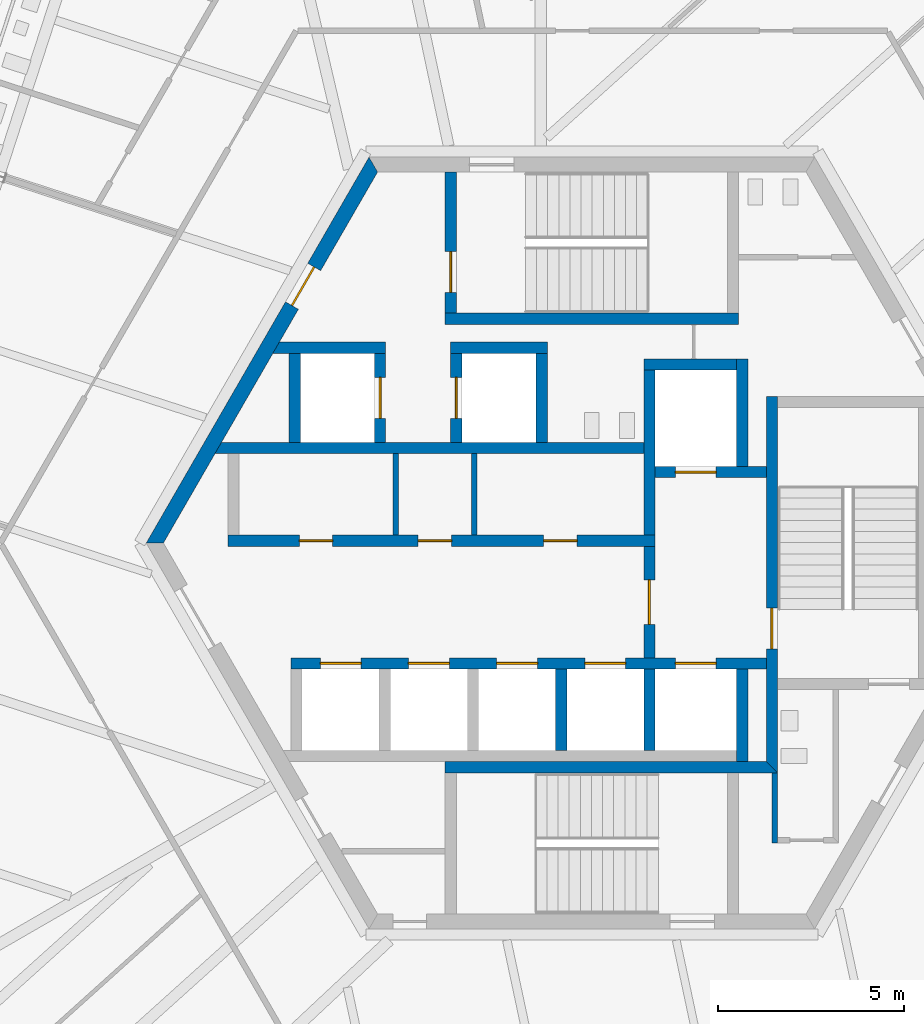
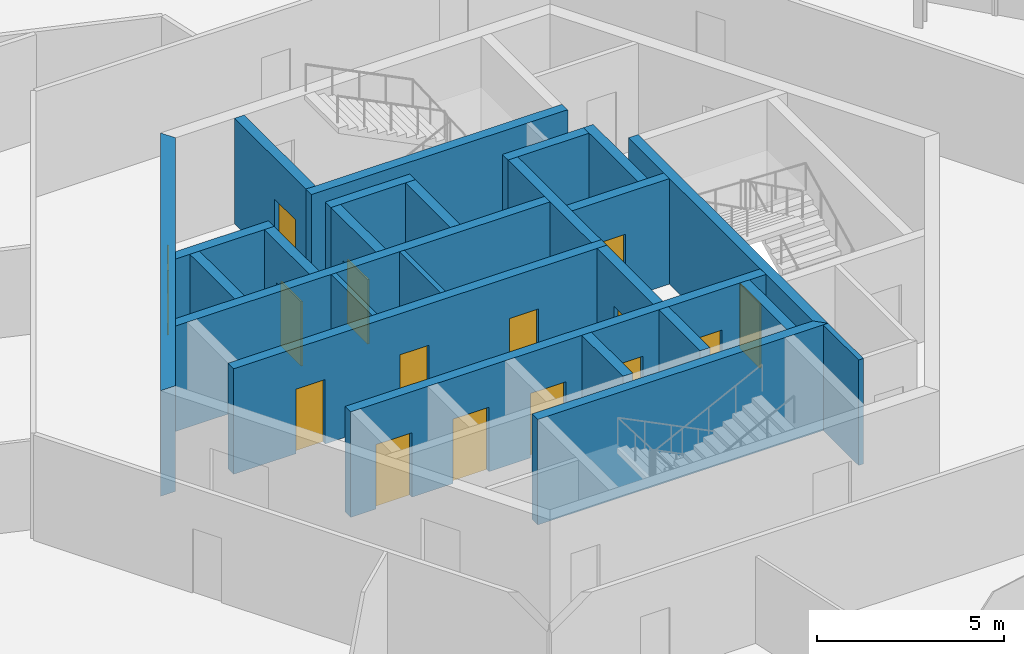
# One storey, part 10 of 14: 25 walls, 15 doors, 15 openings.
"""IFC4 building model written with IfcOpenShell, lengths in metres."""

from ifc_helpers import new_model, si_unit, direction, frame, frame_2d, origin, place, context, subcontext, project, spatial, polyline, rectangle, outline, extrude, source, transform, mapped, material, layer, layer_set, type_object, element, fill, save


model = new_model("IFC4")

# Units and contexts
model_context = context("Model", 3, precision=1e-05, world=origin(), true_north=direction((0.0, 1.0)))
body_context = subcontext(model_context, "Body", "Model", "MODEL_VIEW")
ifc_project = project(units=[si_unit("LENGTHUNIT", "METRE"), si_unit("AREAUNIT", "SQUARE_METRE"), si_unit("VOLUMEUNIT", "CUBIC_METRE"), si_unit("PLANEANGLEUNIT", "RADIAN"), si_unit("MASSUNIT", "GRAM", prefix="KILO")], contexts=[model_context])

# Site, building, storey
site_placement = place(None, origin())
site = spatial("IfcSite", under=ifc_project, at=site_placement, CompositionType="ELEMENT")
building_placement = place(site_placement, origin())
building = spatial("IfcBuilding", under=site, at=building_placement, Name="Triune Harvest Tower", CompositionType="ELEMENT")
storey_placement = place(building_placement, frame((0.0, 0.0, 263.10009765625)))
storey = spatial("IfcBuildingStorey", under=building, at=storey_placement, Name="L69", CompositionType="ELEMENT", Elevation=263.10009765625)

# Wall, opening, door
ifc_material_1 = material(Name="Concrete 70 MPa", Category="concrete")
ifc_layer_1 = layer(ifc_material_1, 0.39990234375)
ifc_layer_set_1 = layer_set([ifc_layer_1], Name="Concrete 70 MPa")
wall_type_1 = type_object("IfcWallType", Name="Core wall 400", PredefinedType="SHEAR", material=ifc_layer_set_1)
shared_shape_1 = source(origin(), body_context, "Body", "SweptSolid", [
    extrude(outline(polyline([(-0.115478515625, -0.199951171875), (11.884521484375, -0.199951171875), (11.653564453125, 0.199951171875), (0.115478515625, 0.199951171875), (-0.115478515625, -0.199951171875)])), origin(), (0.0, 0.0, 1.0), 3.43994140625),
])
wall_1_placement = place(storey_placement, frame((-5.884521484375, 10.1923828125, 0.0), z_axis=(0.0, 0.0, 1.0), x_axis=(-0.499996592174, -0.866027371285, 0.0)))
wall_1 = element("IfcWall", 1, at=wall_1_placement, inside=storey, type_object=wall_type_1, Name="Hexagon 2 wall", PredefinedType="SHEAR", context=body_context, shape_type="MappedRepresentation", body=[
    mapped(shared_shape_1, transform((0.0, 0.0, 0.0), scale=1.0)),
])
opening_1_placement = place(wall_1_placement, frame((3.1845703125, 0.0, 0.0)))
opening_1 = element("IfcOpeningElement", 2, at=opening_1_placement, cuts=wall_1, Name="Opening CD-SVP", PredefinedType="OPENING", context=body_context, shape_type="SweptSolid", body=[
    extrude(rectangle(XDim=1.199951171875, YDim=2.10009765625, at=frame_2d((0.60009765625, 1.050048828125))), frame((0.0, 0.2099609375, 0.0), z_axis=(0.0, -1.0, 0.0), x_axis=(1.0, 0.0, 0.0)), (0.0, 0.0, 1.0), 0.419921875),
])
ifc_material_2 = material(Name="Steel S235", Category="steel")
door_type_1 = type_object("IfcDoorType", Name="Service door 1200 FD120", OperationType="SINGLE_SWING_LEFT", PredefinedType="DOOR", material=ifc_material_2)
door_1_placement = place(opening_1_placement, frame((1.199951171875, 0.0, 0.0), z_axis=(0.0, 0.0, 1.0), x_axis=(-1.0, 0.0, 0.0)))
door_1 = element("IfcDoor", 3, at=door_1_placement, inside=storey, type_object=door_type_1, Name="Door CD-SVP", OperationType="SINGLE_SWING_RIGHT", OverallHeight=2.10009765625, OverallWidth=1.199951171875, PredefinedType="DOOR", context=body_context, shape_type="SweptSolid", body=[
    extrude(rectangle(XDim=1.199951171875, YDim=2.10009765625, at=frame_2d((0.60009765625, 1.050048828125))), frame((0.0, 0.02490234375, 0.0), z_axis=(0.0, -1.0, 0.0), x_axis=(1.0, 0.0, 0.0)), (0.0, 0.0, 1.0), 0.050048828125),
])
fill(opening_1, door_1)

# Wall, openings, doors
ifc_material_3 = material(Name="Concrete 70 MPa", Category="concrete")
ifc_layer_2 = layer(ifc_material_3, 0.300048828125)
ifc_layer_set_2 = layer_set([ifc_layer_2], Name="Concrete 70 MPa")
wall_type_2 = type_object("IfcWallType", Name="Core wall 300", PredefinedType="SHEAR", material=ifc_layer_set_2)
shared_shape_2 = source(origin(), body_context, "Body", "SweptSolid", [
    extrude(rectangle(XDim=11.5, YDim=0.300048828125, at=frame_2d((5.75, 0.0))), origin(), (0.0, 0.0, 1.0), 3.43994140625),
])
wall_2_placement = place(storey_placement, frame((-9.800048828125, 0.06005859375, 0.0), z_axis=(0.0, 0.0, 1.0), x_axis=(1.0, 0.0, 0.0)))
wall_2 = element("IfcWall", 4, at=wall_2_placement, inside=storey, type_object=wall_type_2, Name="North front wall", PredefinedType="SHEAR", context=body_context, shape_type="MappedRepresentation", body=[
    mapped(shared_shape_2, transform((0.0, 0.0, 0.0), scale=1.0)),
])
opening_2_placement = place(wall_2_placement, frame((1.922607421875, 0.0, 0.0)))
opening_2 = element("IfcOpeningElement", 5, at=opening_2_placement, cuts=wall_2, Name="Opening CD-RN1", PredefinedType="OPENING", context=body_context, shape_type="SweptSolid", body=[
    extrude(rectangle(XDim=0.89990234375, YDim=2.10009765625, at=frame_2d((0.449951171875, 1.050048828125))), frame((0.0, 0.16015625, 0.0), z_axis=(0.0, -1.0, 0.0), x_axis=(1.0, 0.0, 0.0)), (0.0, 0.0, 1.0), 0.320068359375),
])
opening_3_placement = place(wall_2_placement, frame((5.125, 0.0, 0.0)))
opening_3 = element("IfcOpeningElement", 6, at=opening_3_placement, cuts=wall_2, Name="Opening CD-RN2", PredefinedType="OPENING", context=body_context, shape_type="SweptSolid", body=[
    extrude(rectangle(XDim=0.89990234375, YDim=2.10009765625, at=frame_2d((0.449951171875, 1.050048828125))), frame((0.0, 0.16015625, 0.0), z_axis=(0.0, -1.0, 0.0), x_axis=(1.0, 0.0, 0.0)), (0.0, 0.0, 1.0), 0.320068359375),
])
opening_4_placement = place(wall_2_placement, frame((8.50244140625, 0.0, 0.0)))
opening_4 = element("IfcOpeningElement", 7, at=opening_4_placement, cuts=wall_2, Name="Opening CD-RN3", PredefinedType="OPENING", context=body_context, shape_type="SweptSolid", body=[
    extrude(rectangle(XDim=0.89990234375, YDim=2.10009765625, at=frame_2d((0.449951171875, 1.050048828125))), frame((0.0, 0.16015625, 0.0), z_axis=(0.0, -1.0, 0.0), x_axis=(1.0, 0.0, 0.0)), (0.0, 0.0, 1.0), 0.320068359375),
])
ifc_material_4 = material(Name="Steel S235", Category="steel")
door_type_2 = type_object("IfcDoorType", Name="Riser door 900 FD120", OperationType="SINGLE_SWING_LEFT", PredefinedType="DOOR", material=ifc_material_4)
door_2_placement = place(opening_2_placement, frame((0.89990234375, 0.0, 0.0), z_axis=(0.0, 0.0, 1.0), x_axis=(-1.0, 0.0, 0.0)))
door_2 = element("IfcDoor", 8, at=door_2_placement, inside=storey, type_object=door_type_2, Name="Door CD-RN1", OperationType="SINGLE_SWING_RIGHT", OverallHeight=2.10009765625, OverallWidth=0.89990234375, PredefinedType="DOOR", context=body_context, shape_type="SweptSolid", body=[
    extrude(rectangle(XDim=0.89990234375, YDim=2.10009765625, at=frame_2d((0.449951171875, 1.050048828125))), frame((0.0, 0.02490234375, 0.0), z_axis=(0.0, -1.0, 0.0), x_axis=(1.0, 0.0, 0.0)), (0.0, 0.0, 1.0), 0.050048828125),
])
fill(opening_2, door_2)
door_3_placement = place(opening_3_placement, frame((0.89990234375, 0.0, 0.0), z_axis=(0.0, 0.0, 1.0), x_axis=(-1.0, 0.0, 0.0)))
door_3 = element("IfcDoor", 9, at=door_3_placement, inside=storey, type_object=door_type_2, Name="Door CD-RN2", OperationType="SINGLE_SWING_RIGHT", OverallHeight=2.10009765625, OverallWidth=0.89990234375, PredefinedType="DOOR", context=body_context, shape_type="SweptSolid", body=[
    extrude(rectangle(XDim=0.89990234375, YDim=2.10009765625, at=frame_2d((0.449951171875, 1.050048828125))), frame((0.0, 0.02490234375, 0.0), z_axis=(0.0, -1.0, 0.0), x_axis=(1.0, 0.0, 0.0)), (0.0, 0.0, 1.0), 0.050048828125),
])
fill(opening_3, door_3)
door_4_placement = place(opening_4_placement, frame((0.89990234375, 0.0, 0.0), z_axis=(0.0, 0.0, 1.0), x_axis=(-1.0, 0.0, 0.0)))
door_4 = element("IfcDoor", 10, at=door_4_placement, inside=storey, type_object=door_type_2, Name="Door CD-RN3", OperationType="SINGLE_SWING_RIGHT", OverallHeight=2.10009765625, OverallWidth=0.89990234375, PredefinedType="DOOR", context=body_context, shape_type="SweptSolid", body=[
    extrude(rectangle(XDim=0.89990234375, YDim=2.10009765625, at=frame_2d((0.449951171875, 1.050048828125))), frame((0.0, 0.02490234375, 0.0), z_axis=(0.0, -1.0, 0.0), x_axis=(1.0, 0.0, 0.0)), (0.0, 0.0, 1.0), 0.050048828125),
])
fill(opening_4, door_4)

# Walls
shared_shape_3 = source(origin(), body_context, "Body", "SweptSolid", [
    extrude(outline(polyline([(11.199951171875, -0.14990234375), (-0.34912109375, -0.14990234375), (-0.17578125, 0.14990234375), (11.199951171875, 0.14990234375), (11.199951171875, -0.14990234375)])), origin(), (0.0, 0.0, 1.0), 3.43994140625),
])
wall_3_placement = place(storey_placement, frame((-9.800048828125, 2.56005859375, 0.0), z_axis=(0.0, 0.0, 1.0), x_axis=(1.0, 0.0, 0.0)))
element("IfcWall", 11, at=wall_3_placement, inside=storey, type_object=wall_type_2, Name="North back wall", PredefinedType="SHEAR", context=body_context, shape_type="MappedRepresentation", body=[
    mapped(shared_shape_3, transform((0.0, 0.0, 0.0), scale=1.0)),
])
shared_shape_4 = source(origin(), body_context, "Body", "SweptSolid", [
    extrude(rectangle(XDim=2.5, YDim=0.300048828125, at=frame_2d((1.25, 0.0))), origin(), (0.0, 0.0, 1.0), 3.43994140625),
])
for number, where, z_axis, x_axis, name in (
    (12, (1.39990234375, 4.81005859375, 0.0), (0.0, 0.0, 1.0), (1.0, 0.0, 0.0), "Ff1 back wall"),
    (13, (4.050048828125, -5.889892578125, 0.0), (0.0, 0.0, 1.0), (0.0, 1.0, 0.0), "Ff2 east wall"),
):
    element("IfcWall", number, at=place(storey_placement, frame(where, z_axis=z_axis, x_axis=x_axis)), inside=storey, type_object=wall_type_2, Name=name, PredefinedType="SHEAR", context=body_context, shape_type="MappedRepresentation", body=[
        mapped(shared_shape_4, transform((0.0, 0.0, 0.0), scale=1.0)),
    ])
shared_shape_5 = source(origin(), body_context, "Body", "SweptSolid", [
    extrude(rectangle(XDim=4.449951171875, YDim=0.300048828125, at=frame_2d((2.22509765625, 0.0))), origin(), (0.0, 0.0, 1.0), 3.43994140625),
])
wall_4_placement = place(storey_placement, frame((1.550048828125, 0.2099609375, 0.0), z_axis=(0.0, 0.0, 1.0), x_axis=(0.0, 1.0, 0.0)))
element("IfcWall", 14, at=wall_4_placement, inside=storey, type_object=wall_type_2, Name="Ff1 west wall", PredefinedType="SHEAR", context=body_context, shape_type="MappedRepresentation", body=[
    mapped(shared_shape_5, transform((0.0, 0.0, 0.0), scale=1.0)),
])

# Wall, opening, door
shared_shape_6 = source(origin(), body_context, "Body", "SweptSolid", [
    extrude(rectangle(XDim=3.0, YDim=0.300048828125, at=frame_2d((1.5, 0.0))), origin(), (0.0, 0.0, 1.0), 3.43994140625),
])
wall_5_placement = place(storey_placement, frame((1.699951171875, 1.909912109375, 0.0), z_axis=(0.0, 0.0, 1.0), x_axis=(1.0, 0.0, 0.0)))
wall_5 = element("IfcWall", 15, at=wall_5_placement, inside=storey, type_object=wall_type_2, Name="Ff1 front wall", PredefinedType="SHEAR", context=body_context, shape_type="MappedRepresentation", body=[
    mapped(shared_shape_6, transform((0.0, 0.0, 0.0), scale=1.0)),
])
opening_5_placement = place(wall_5_placement, frame((0.550048828125, 0.0, 0.0)))
opening_5 = element("IfcOpeningElement", 16, at=opening_5_placement, cuts=wall_5, Name="Opening LD-FF1-69", PredefinedType="OPENING", context=body_context, shape_type="SweptSolid", body=[
    extrude(rectangle(XDim=1.10009765625, YDim=2.10009765625, at=frame_2d((0.550048828125, 1.050048828125))), frame((0.0, 0.16015625, 0.0), z_axis=(0.0, -1.0, 0.0), x_axis=(1.0, 0.0, 0.0)), (0.0, 0.0, 1.0), 0.320068359375),
])
ifc_material_5 = material(Name="Stainless steel AISI 304", Category="steel")
door_type_3 = type_object("IfcDoorType", Name="Landing door 1100 x 2100", OperationType="DOUBLE_DOOR_SLIDING", PredefinedType="DOOR", material=ifc_material_5)
door_5_placement = place(opening_5_placement, origin())
door_5 = element("IfcDoor", 17, at=door_5_placement, inside=storey, type_object=door_type_3, Name="Door LD-FF1-69", OperationType="DOUBLE_DOOR_SLIDING", OverallHeight=2.10009765625, OverallWidth=1.10009765625, PredefinedType="DOOR", context=body_context, shape_type="SweptSolid", body=[
    extrude(rectangle(XDim=1.10009765625, YDim=2.10009765625, at=frame_2d((0.550048828125, 1.050048828125))), frame((0.0, 0.02490234375, 0.0), z_axis=(0.0, -1.0, 0.0), x_axis=(1.0, 0.0, 0.0)), (0.0, 0.0, 1.0), 0.050048828125),
])
fill(opening_5, door_5)

wall_6_placement = place(storey_placement, frame((1.550048828125, -3.090087890625, 0.0), z_axis=(0.0, 0.0, 1.0), x_axis=(0.0, 1.0, 0.0)))
wall_6 = element("IfcWall", 18, at=wall_6_placement, inside=storey, type_object=wall_type_2, Name="Ff lobby west wall", PredefinedType="SHEAR", context=body_context, shape_type="MappedRepresentation", body=[
    mapped(shared_shape_6, transform((0.0, 0.0, 0.0), scale=1.0)),
])
opening_6_placement = place(wall_6_placement, frame((0.89990234375, 0.0, 0.0)))
opening_6 = element("IfcOpeningElement", 19, at=opening_6_placement, cuts=wall_6, Name="Opening CD-FL", PredefinedType="OPENING", context=body_context, shape_type="SweptSolid", body=[
    extrude(rectangle(XDim=1.199951171875, YDim=2.10009765625, at=frame_2d((0.60009765625, 1.050048828125))), frame((0.0, 0.16015625, 0.0), z_axis=(0.0, -1.0, 0.0), x_axis=(1.0, 0.0, 0.0)), (0.0, 0.0, 1.0), 0.320068359375),
])
ifc_material_6 = material(Name="Steel S235", Category="steel")
door_type_4 = type_object("IfcDoorType", Name="Firefighters' lobby door 1200 FD120", OperationType="SINGLE_SWING_LEFT", PredefinedType="DOOR", material=ifc_material_6)
door_6_placement = place(opening_6_placement, frame((1.199951171875, 0.0, 0.0), z_axis=(0.0, 0.0, 1.0), x_axis=(-1.0, 0.0, 0.0)))
door_6 = element("IfcDoor", 20, at=door_6_placement, inside=storey, type_object=door_type_4, Name="Door CD-FL", OperationType="SINGLE_SWING_RIGHT", OverallHeight=2.10009765625, OverallWidth=1.199951171875, PredefinedType="DOOR", context=body_context, shape_type="SweptSolid", body=[
    extrude(rectangle(XDim=1.199951171875, YDim=2.10009765625, at=frame_2d((0.60009765625, 1.050048828125))), frame((0.0, 0.02490234375, 0.0), z_axis=(0.0, -1.0, 0.0), x_axis=(1.0, 0.0, 0.0)), (0.0, 0.0, 1.0), 0.050048828125),
])
fill(opening_6, door_6)

# Wall
shared_shape_7 = source(origin(), body_context, "Body", "SweptSolid", [
    extrude(rectangle(XDim=2.89990234375, YDim=0.300048828125, at=frame_2d((1.449951171875, 0.0))), origin(), (0.0, 0.0, 1.0), 3.43994140625),
])
wall_7_placement = place(storey_placement, frame((4.050048828125, 2.06005859375, 0.0), z_axis=(0.0, 0.0, 1.0), x_axis=(0.0, 1.0, 0.0)))
element("IfcWall", 21, at=wall_7_placement, inside=storey, type_object=wall_type_2, Name="Ff1 east wall", PredefinedType="SHEAR", context=body_context, shape_type="MappedRepresentation", body=[
    mapped(shared_shape_7, transform((0.0, 0.0, 0.0), scale=1.0)),
])

# Wall, openings, doors
shared_shape_8 = source(origin(), body_context, "Body", "SweptSolid", [
    extrude(rectangle(XDim=12.800048828125, YDim=0.300048828125, at=frame_2d((6.39990234375, 0.0))), origin(), (0.0, 0.0, 1.0), 3.43994140625),
])
wall_8_placement = place(storey_placement, frame((-8.10009765625, -3.239990234375, 0.0), z_axis=(0.0, 0.0, 1.0), x_axis=(1.0, 0.0, 0.0)))
wall_8 = element("IfcWall", 22, at=wall_8_placement, inside=storey, type_object=wall_type_2, Name="South front wall", PredefinedType="SHEAR", context=body_context, shape_type="MappedRepresentation", body=[
    mapped(shared_shape_8, transform((0.0, 0.0, 0.0), scale=1.0)),
])
opening_7_placement = place(wall_8_placement, frame((0.78759765625, 0.0, 0.0)))
opening_7 = element("IfcOpeningElement", 23, at=opening_7_placement, cuts=wall_8, Name="Opening LD-HR1-69", PredefinedType="OPENING", context=body_context, shape_type="SweptSolid", body=[
    extrude(rectangle(XDim=1.10009765625, YDim=2.10009765625, at=frame_2d((0.550048828125, 1.050048828125))), frame((0.0, 0.16015625, 0.0), z_axis=(0.0, -1.0, 0.0), x_axis=(1.0, 0.0, 0.0)), (0.0, 0.0, 1.0), 0.320068359375),
])
opening_8_placement = place(wall_8_placement, frame((3.16259765625, 0.0, 0.0)))
opening_8 = element("IfcOpeningElement", 24, at=opening_8_placement, cuts=wall_8, Name="Opening LD-HR2-69", PredefinedType="OPENING", context=body_context, shape_type="SweptSolid", body=[
    extrude(rectangle(XDim=1.10009765625, YDim=2.10009765625, at=frame_2d((0.550048828125, 1.050048828125))), frame((0.0, 0.16015625, 0.0), z_axis=(0.0, -1.0, 0.0), x_axis=(1.0, 0.0, 0.0)), (0.0, 0.0, 1.0), 0.320068359375),
])
opening_9_placement = place(wall_8_placement, frame((5.53759765625, 0.0, 0.0)))
opening_9 = element("IfcOpeningElement", 25, at=opening_9_placement, cuts=wall_8, Name="Opening LD-HR3-69", PredefinedType="OPENING", context=body_context, shape_type="SweptSolid", body=[
    extrude(rectangle(XDim=1.10009765625, YDim=2.10009765625, at=frame_2d((0.550048828125, 1.050048828125))), frame((0.0, 0.16015625, 0.0), z_axis=(0.0, -1.0, 0.0), x_axis=(1.0, 0.0, 0.0)), (0.0, 0.0, 1.0), 0.320068359375),
])
opening_10_placement = place(wall_8_placement, frame((7.91259765625, 0.0, 0.0)))
opening_10 = element("IfcOpeningElement", 26, at=opening_10_placement, cuts=wall_8, Name="Opening LD-HR4-69", PredefinedType="OPENING", context=body_context, shape_type="SweptSolid", body=[
    extrude(rectangle(XDim=1.10009765625, YDim=2.10009765625, at=frame_2d((0.550048828125, 1.050048828125))), frame((0.0, 0.16015625, 0.0), z_axis=(0.0, -1.0, 0.0), x_axis=(1.0, 0.0, 0.0)), (0.0, 0.0, 1.0), 0.320068359375),
])
opening_11_placement = place(wall_8_placement, frame((10.35009765625, 0.0, 0.0)))
opening_11 = element("IfcOpeningElement", 27, at=opening_11_placement, cuts=wall_8, Name="Opening LD-FF2-69", PredefinedType="OPENING", context=body_context, shape_type="SweptSolid", body=[
    extrude(rectangle(XDim=1.10009765625, YDim=2.10009765625, at=frame_2d((0.550048828125, 1.050048828125))), frame((0.0, 0.16015625, 0.0), z_axis=(0.0, -1.0, 0.0), x_axis=(1.0, 0.0, 0.0)), (0.0, 0.0, 1.0), 0.320068359375),
])
door_7_placement = place(opening_7_placement, origin())
door_7 = element("IfcDoor", 28, at=door_7_placement, inside=storey, type_object=door_type_3, Name="Door LD-HR1-69", OperationType="DOUBLE_DOOR_SLIDING", OverallHeight=2.10009765625, OverallWidth=1.10009765625, PredefinedType="DOOR", context=body_context, shape_type="SweptSolid", body=[
    extrude(rectangle(XDim=1.10009765625, YDim=2.10009765625, at=frame_2d((0.550048828125, 1.050048828125))), frame((0.0, 0.02490234375, 0.0), z_axis=(0.0, -1.0, 0.0), x_axis=(1.0, 0.0, 0.0)), (0.0, 0.0, 1.0), 0.050048828125),
])
fill(opening_7, door_7)
door_8_placement = place(opening_8_placement, origin())
door_8 = element("IfcDoor", 29, at=door_8_placement, inside=storey, type_object=door_type_3, Name="Door LD-HR2-69", OperationType="DOUBLE_DOOR_SLIDING", OverallHeight=2.10009765625, OverallWidth=1.10009765625, PredefinedType="DOOR", context=body_context, shape_type="SweptSolid", body=[
    extrude(rectangle(XDim=1.10009765625, YDim=2.10009765625, at=frame_2d((0.550048828125, 1.050048828125))), frame((0.0, 0.02490234375, 0.0), z_axis=(0.0, -1.0, 0.0), x_axis=(1.0, 0.0, 0.0)), (0.0, 0.0, 1.0), 0.050048828125),
])
fill(opening_8, door_8)
door_9_placement = place(opening_9_placement, origin())
door_9 = element("IfcDoor", 30, at=door_9_placement, inside=storey, type_object=door_type_3, Name="Door LD-HR3-69", OperationType="DOUBLE_DOOR_SLIDING", OverallHeight=2.10009765625, OverallWidth=1.10009765625, PredefinedType="DOOR", context=body_context, shape_type="SweptSolid", body=[
    extrude(rectangle(XDim=1.10009765625, YDim=2.10009765625, at=frame_2d((0.550048828125, 1.050048828125))), frame((0.0, 0.02490234375, 0.0), z_axis=(0.0, -1.0, 0.0), x_axis=(1.0, 0.0, 0.0)), (0.0, 0.0, 1.0), 0.050048828125),
])
fill(opening_9, door_9)
door_10_placement = place(opening_10_placement, origin())
door_10 = element("IfcDoor", 31, at=door_10_placement, inside=storey, type_object=door_type_3, Name="Door LD-HR4-69", OperationType="DOUBLE_DOOR_SLIDING", OverallHeight=2.10009765625, OverallWidth=1.10009765625, PredefinedType="DOOR", context=body_context, shape_type="SweptSolid", body=[
    extrude(rectangle(XDim=1.10009765625, YDim=2.10009765625, at=frame_2d((0.550048828125, 1.050048828125))), frame((0.0, 0.02490234375, 0.0), z_axis=(0.0, -1.0, 0.0), x_axis=(1.0, 0.0, 0.0)), (0.0, 0.0, 1.0), 0.050048828125),
])
fill(opening_10, door_10)
door_11_placement = place(opening_11_placement, origin())
door_11 = element("IfcDoor", 32, at=door_11_placement, inside=storey, type_object=door_type_3, Name="Door LD-FF2-69", OperationType="DOUBLE_DOOR_SLIDING", OverallHeight=2.10009765625, OverallWidth=1.10009765625, PredefinedType="DOOR", context=body_context, shape_type="SweptSolid", body=[
    extrude(rectangle(XDim=1.10009765625, YDim=2.10009765625, at=frame_2d((0.550048828125, 1.050048828125))), frame((0.0, 0.02490234375, 0.0), z_axis=(0.0, -1.0, 0.0), x_axis=(1.0, 0.0, 0.0)), (0.0, 0.0, 1.0), 0.050048828125),
])
fill(opening_11, door_11)

# Walls
shared_shape_9 = source(origin(), body_context, "Body", "SweptSolid", [
    extrude(rectangle(XDim=2.2001953125, YDim=0.300048828125, at=frame_2d((1.10009765625, 0.0))), origin(), (0.0, 0.0, 1.0), 3.43994140625),
])
for number, where, z_axis, x_axis, name in (
    (33, (1.550048828125, -5.590087890625, 0.0), (0.0, 0.0, 1.0), (0.0, 1.0, 0.0), "Ff2 west wall"),
    (34, (-0.824951171875, -5.590087890625, 0.0), (0.0, 0.0, 1.0), (0.0, 1.0, 0.0), "South cross 3 wall"),
):
    element("IfcWall", number, at=place(storey_placement, frame(where, z_axis=z_axis, x_axis=x_axis)), inside=storey, type_object=wall_type_2, Name=name, PredefinedType="SHEAR", context=body_context, shape_type="MappedRepresentation", body=[
        mapped(shared_shape_9, transform((0.0, 0.0, 0.0), scale=1.0)),
    ])

# Wall, opening, door
shared_shape_10 = source(origin(), body_context, "Body", "SweptSolid", [
    extrude(outline(polyline([(-0.14990234375, -0.14990234375), (9.989990234375, -0.14990234375), (9.989990234375, 0.14990234375), (0.14990234375, 0.14990234375), (-0.14990234375, -0.14990234375)])), origin(), (0.0, 0.0, 1.0), 3.43994140625),
])
wall_9_placement = place(storey_placement, frame((4.85009765625, -6.0400390625, 0.0), z_axis=(0.0, 0.0, 1.0), x_axis=(0.0, 1.0, 0.0)))
wall_9 = element("IfcWall", 35, at=wall_9_placement, inside=storey, type_object=wall_type_2, Name="Stair e west wall", PredefinedType="SHEAR", context=body_context, shape_type="MappedRepresentation", body=[
    mapped(shared_shape_10, transform((0.0, 0.0, 0.0), scale=1.0)),
])
opening_12_placement = place(wall_9_placement, frame((3.18994140625, 0.0, 0.0)))
opening_12 = element("IfcOpeningElement", 36, at=opening_12_placement, cuts=wall_9, Name="Opening CD-S3L", PredefinedType="OPENING", context=body_context, shape_type="SweptSolid", body=[
    extrude(rectangle(XDim=1.10009765625, YDim=2.10009765625, at=frame_2d((0.550048828125, 1.050048828125))), frame((0.0, 0.16015625, 0.0), z_axis=(0.0, -1.0, 0.0), x_axis=(1.0, 0.0, 0.0)), (0.0, 0.0, 1.0), 0.320068359375),
])
ifc_material_7 = material(Name="Steel S235", Category="steel")
door_type_5 = type_object("IfcDoorType", Name="Stair door 1100 FD120", OperationType="SINGLE_SWING_LEFT", PredefinedType="DOOR", material=ifc_material_7)
door_12_placement = place(opening_12_placement, frame((1.10009765625, 0.0, 0.0), z_axis=(0.0, 0.0, 1.0), x_axis=(-1.0, 0.0, 0.0)))
door_12 = element("IfcDoor", 37, at=door_12_placement, inside=storey, type_object=door_type_5, Name="Door CD-S3L", OperationType="SINGLE_SWING_RIGHT", OverallHeight=2.10009765625, OverallWidth=1.10009765625, PredefinedType="DOOR", context=body_context, shape_type="SweptSolid", body=[
    extrude(rectangle(XDim=1.10009765625, YDim=2.10009765625, at=frame_2d((0.550048828125, 1.050048828125))), frame((0.0, 0.02490234375, 0.0), z_axis=(0.0, -1.0, 0.0), x_axis=(1.0, 0.0, 0.0)), (0.0, 0.0, 1.0), 0.050048828125),
])
fill(opening_12, door_12)

# Wall
shared_shape_11 = source(origin(), body_context, "Body", "SweptSolid", [
    extrude(rectangle(XDim=7.89990234375, YDim=0.300048828125, at=frame_2d((3.949951171875, 0.0))), origin(), (0.0, 0.0, 1.0), 3.43994140625),
])
wall_10_placement = place(storey_placement, frame((-3.949951171875, 6.0400390625, 0.0), z_axis=(0.0, 0.0, 1.0), x_axis=(1.0, 0.0, 0.0)))
element("IfcWall", 38, at=wall_10_placement, inside=storey, type_object=wall_type_2, Name="Stair n south wall", PredefinedType="SHEAR", context=body_context, shape_type="MappedRepresentation", body=[
    mapped(shared_shape_11, transform((0.0, 0.0, 0.0), scale=1.0)),
])

# Wall, opening, door
shared_shape_12 = source(origin(), body_context, "Body", "SweptSolid", [
    extrude(outline(polyline([(0.0, -0.14990234375), (0.0, 0.14990234375), (3.80419921875, 0.14990234375), (3.80419921875, -0.14990234375), (0.0, -0.14990234375)])), origin(), (0.0, 0.0, 1.0), 3.43994140625),
])
wall_11_placement = place(storey_placement, frame((-3.800048828125, 6.18994140625, 0.0), z_axis=(0.0, 0.0, 1.0), x_axis=(0.0, 1.0, 0.0)))
wall_11 = element("IfcWall", 39, at=wall_11_placement, inside=storey, type_object=wall_type_2, Name="Stair n west wall", PredefinedType="SHEAR", context=body_context, shape_type="MappedRepresentation", body=[
    mapped(shared_shape_12, transform((0.0, 0.0, 0.0), scale=1.0)),
])
opening_13_placement = place(wall_11_placement, frame((0.56005859375, 0.0, 0.0)))
opening_13 = element("IfcOpeningElement", 40, at=opening_13_placement, cuts=wall_11, Name="Opening CD-S1L", PredefinedType="OPENING", context=body_context, shape_type="SweptSolid", body=[
    extrude(rectangle(XDim=1.10009765625, YDim=2.10009765625, at=frame_2d((0.550048828125, 1.050048828125))), frame((0.0, 0.16015625, 0.0), z_axis=(0.0, -1.0, 0.0), x_axis=(1.0, 0.0, 0.0)), (0.0, 0.0, 1.0), 0.320068359375),
])
door_13_placement = place(opening_13_placement, frame((1.10009765625, 0.0, 0.0), z_axis=(0.0, 0.0, 1.0), x_axis=(-1.0, 0.0, 0.0)))
door_13 = element("IfcDoor", 41, at=door_13_placement, inside=storey, type_object=door_type_5, Name="Door CD-S1L", OperationType="SINGLE_SWING_RIGHT", OverallHeight=2.10009765625, OverallWidth=1.10009765625, PredefinedType="DOOR", context=body_context, shape_type="SweptSolid", body=[
    extrude(rectangle(XDim=1.10009765625, YDim=2.10009765625, at=frame_2d((0.550048828125, 1.050048828125))), frame((0.0, 0.02490234375, 0.0), z_axis=(0.0, -1.0, 0.0), x_axis=(1.0, 0.0, 0.0)), (0.0, 0.0, 1.0), 0.050048828125),
])
fill(opening_13, door_13)

# Walls
shared_shape_13 = source(origin(), body_context, "Body", "SweptSolid", [
    extrude(outline(polyline([(0.0, -0.14990234375), (8.949951171875, -0.14990234375), (8.64990234375, 0.14990234375), (0.0, 0.14990234375), (0.0, -0.14990234375)])), origin(), (0.0, 0.0, 1.0), 3.43994140625),
])
wall_12_placement = place(storey_placement, frame((-3.949951171875, -6.0400390625, 0.0), z_axis=(0.0, 0.0, 1.0), x_axis=(1.0, 0.0, 0.0)))
element("IfcWall", 42, at=wall_12_placement, inside=storey, type_object=wall_type_2, Name="Stair s north wall", PredefinedType="SHEAR", context=body_context, shape_type="MappedRepresentation", body=[
    mapped(shared_shape_13, transform((0.0, 0.0, 0.0), scale=1.0)),
])
shared_shape_14 = source(origin(), body_context, "Body", "SweptSolid", [
    extrude(outline(polyline([(2.60009765625, -0.14990234375), (-0.440185546875, -0.14990234375), (-0.26708984375, 0.14990234375), (2.60009765625, 0.14990234375), (2.60009765625, -0.14990234375)])), origin(), (0.0, 0.0, 1.0), 3.43994140625),
])
wall_13_placement = place(storey_placement, frame((-8.14990234375, 5.260009765625, 0.0), z_axis=(0.0, 0.0, 1.0), x_axis=(1.0, 0.0, 0.0)))
element("IfcWall", 43, at=wall_13_placement, inside=storey, type_object=wall_type_2, Name="Sv1 north wall", PredefinedType="SHEAR", context=body_context, shape_type="MappedRepresentation", body=[
    mapped(shared_shape_14, transform((0.0, 0.0, 0.0), scale=1.0)),
])
shared_shape_15 = source(origin(), body_context, "Body", "SweptSolid", [
    extrude(rectangle(XDim=2.400146484375, YDim=0.300048828125, at=frame_2d((1.2001953125, 0.0))), origin(), (0.0, 0.0, 1.0), 3.43994140625),
])
wall_14_placement = place(storey_placement, frame((-8.0, 2.7099609375, 0.0), z_axis=(0.0, 0.0, 1.0), x_axis=(0.0, 1.0, 0.0)))
element("IfcWall", 44, at=wall_14_placement, inside=storey, type_object=wall_type_2, Name="Sv1 west wall", PredefinedType="SHEAR", context=body_context, shape_type="MappedRepresentation", body=[
    mapped(shared_shape_15, transform((0.0, 0.0, 0.0), scale=1.0)),
])

# Wall, opening, door
wall_15_placement = place(storey_placement, frame((-5.699951171875, 2.7099609375, 0.0), z_axis=(0.0, 0.0, 1.0), x_axis=(0.0, 1.0, 0.0)))
wall_15 = element("IfcWall", 45, at=wall_15_placement, inside=storey, type_object=wall_type_2, Name="Sv1 east wall", PredefinedType="SHEAR", context=body_context, shape_type="MappedRepresentation", body=[
    mapped(shared_shape_15, transform((0.0, 0.0, 0.0), scale=1.0)),
])
opening_14_placement = place(wall_15_placement, frame((0.64990234375, 0.0, 0.0)))
opening_14 = element("IfcOpeningElement", 46, at=opening_14_placement, cuts=wall_15, Name="Opening LD-SV1-69", PredefinedType="OPENING", context=body_context, shape_type="SweptSolid", body=[
    extrude(rectangle(XDim=1.10009765625, YDim=2.10009765625, at=frame_2d((0.550048828125, 1.050048828125))), frame((0.0, 0.16015625, 0.0), z_axis=(0.0, -1.0, 0.0), x_axis=(1.0, 0.0, 0.0)), (0.0, 0.0, 1.0), 0.320068359375),
])
door_14_placement = place(opening_14_placement, origin())
door_14 = element("IfcDoor", 47, at=door_14_placement, inside=storey, type_object=door_type_3, Name="Door LD-SV1-69", OperationType="DOUBLE_DOOR_SLIDING", OverallHeight=2.10009765625, OverallWidth=1.10009765625, PredefinedType="DOOR", context=body_context, shape_type="SweptSolid", body=[
    extrude(rectangle(XDim=1.10009765625, YDim=2.10009765625, at=frame_2d((0.550048828125, 1.050048828125))), frame((0.0, 0.02490234375, 0.0), z_axis=(0.0, -1.0, 0.0), x_axis=(1.0, 0.0, 0.0)), (0.0, 0.0, 1.0), 0.050048828125),
])
fill(opening_14, door_14)

wall_16_placement = place(storey_placement, frame((-3.64990234375, 2.7099609375, 0.0), z_axis=(0.0, 0.0, 1.0), x_axis=(0.0, 1.0, 0.0)))
wall_16 = element("IfcWall", 48, at=wall_16_placement, inside=storey, type_object=wall_type_2, Name="Sv2 west wall", PredefinedType="SHEAR", context=body_context, shape_type="MappedRepresentation", body=[
    mapped(shared_shape_15, transform((0.0, 0.0, 0.0), scale=1.0)),
])
opening_15_placement = place(wall_16_placement, frame((0.64990234375, 0.0, 0.0)))
opening_15 = element("IfcOpeningElement", 49, at=opening_15_placement, cuts=wall_16, Name="Opening LD-SV2-69", PredefinedType="OPENING", context=body_context, shape_type="SweptSolid", body=[
    extrude(rectangle(XDim=1.10009765625, YDim=2.10009765625, at=frame_2d((0.550048828125, 1.050048828125))), frame((0.0, 0.16015625, 0.0), z_axis=(0.0, -1.0, 0.0), x_axis=(1.0, 0.0, 0.0)), (0.0, 0.0, 1.0), 0.320068359375),
])
door_15_placement = place(opening_15_placement, origin())
door_15 = element("IfcDoor", 50, at=door_15_placement, inside=storey, type_object=door_type_3, Name="Door LD-SV2-69", OperationType="DOUBLE_DOOR_SLIDING", OverallHeight=2.10009765625, OverallWidth=1.10009765625, PredefinedType="DOOR", context=body_context, shape_type="SweptSolid", body=[
    extrude(rectangle(XDim=1.10009765625, YDim=2.10009765625, at=frame_2d((0.550048828125, 1.050048828125))), frame((0.0, 0.02490234375, 0.0), z_axis=(0.0, -1.0, 0.0), x_axis=(1.0, 0.0, 0.0)), (0.0, 0.0, 1.0), 0.050048828125),
])
fill(opening_15, door_15)

# Walls
wall_17_placement = place(storey_placement, frame((-1.35009765625, 2.7099609375, 0.0), z_axis=(0.0, 0.0, 1.0), x_axis=(0.0, 1.0, 0.0)))
element("IfcWall", 51, at=wall_17_placement, inside=storey, type_object=wall_type_2, Name="Sv2 east wall", PredefinedType="SHEAR", context=body_context, shape_type="MappedRepresentation", body=[
    mapped(shared_shape_15, transform((0.0, 0.0, 0.0), scale=1.0)),
])
shared_shape_16 = source(origin(), body_context, "Body", "SweptSolid", [
    extrude(rectangle(XDim=2.60009765625, YDim=0.300048828125, at=frame_2d((1.300048828125, 0.0))), origin(), (0.0, 0.0, 1.0), 3.43994140625),
])
wall_18_placement = place(storey_placement, frame((-3.800048828125, 5.260009765625, 0.0), z_axis=(0.0, 0.0, 1.0), x_axis=(1.0, 0.0, 0.0)))
element("IfcWall", 52, at=wall_18_placement, inside=storey, type_object=wall_type_2, Name="Sv2 north wall", PredefinedType="SHEAR", context=body_context, shape_type="MappedRepresentation", body=[
    mapped(shared_shape_16, transform((0.0, 0.0, 0.0), scale=1.0)),
])
ifc_material_8 = material(Name="Concrete masonry unit", Category="masonry")
ifc_layer_3 = layer(ifc_material_8, 0.14990234375)
ifc_layer_set_3 = layer_set([ifc_layer_3], Name="Concrete masonry unit")
wall_type_3 = type_object("IfcWallType", Name="Block partition 150 unrated", PredefinedType="PARTITIONING", material=ifc_layer_set_3)
shared_shape_17 = source(origin(), body_context, "Body", "SweptSolid", [
    extrude(rectangle(XDim=1.885009765625, YDim=0.14990234375, at=frame_2d((0.9423828125, 0.0))), origin(), (0.0, 0.0, 1.0), 3.43994140625),
])
wall_19_placement = place(storey_placement, frame((4.925048828125, -8.074951171875, 0.0), z_axis=(0.0, 0.0, 1.0), x_axis=(0.0, 1.0, 0.0)))
element("IfcWall", 53, at=wall_19_placement, inside=storey, type_object=wall_type_3, Name="Wc acc west wall", PredefinedType="PARTITIONING", context=body_context, shape_type="MappedRepresentation", body=[
    mapped(shared_shape_17, transform((0.0, 0.0, 0.0), scale=1.0)),
])
ifc_material_9 = material(Name="Concrete masonry unit", Category="masonry")
ifc_layer_4 = layer(ifc_material_9, 0.14990234375)
ifc_layer_set_4 = layer_set([ifc_layer_4], Name="Concrete masonry unit")
wall_type_4 = type_object("IfcWallType", Name="Block partition 150", PredefinedType="PARTITIONING", material=ifc_layer_set_4)
shared_shape_18 = source(origin(), body_context, "Body", "SweptSolid", [
    extrude(rectangle(XDim=2.199951171875, YDim=0.14990234375, at=frame_2d((1.10009765625, 0.0))), origin(), (0.0, 0.0, 1.0), 3.43994140625),
])
for number, where, z_axis, x_axis, name in (
    (54, (-5.280029296875, 0.2099609375, 0.0), (0.0, 0.0, 1.0), (0.0, 1.0, 0.0), "Row n part 1 wall"),
    (55, (-3.169921875, 0.2099609375, 0.0), (0.0, 0.0, 1.0), (0.0, 1.0, 0.0), "Row n part 2 wall"),
):
    element("IfcWall", number, at=place(storey_placement, frame(where, z_axis=z_axis, x_axis=x_axis)), inside=storey, type_object=wall_type_4, Name=name, PredefinedType="PARTITIONING", context=body_context, shape_type="MappedRepresentation", body=[
        mapped(shared_shape_18, transform((0.0, 0.0, 0.0), scale=1.0)),
    ])

save(model, "model.ifc")
